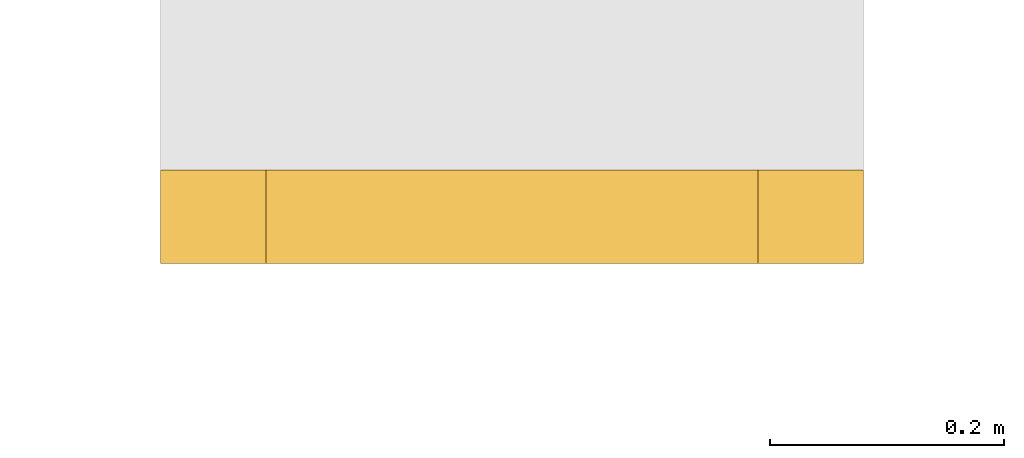
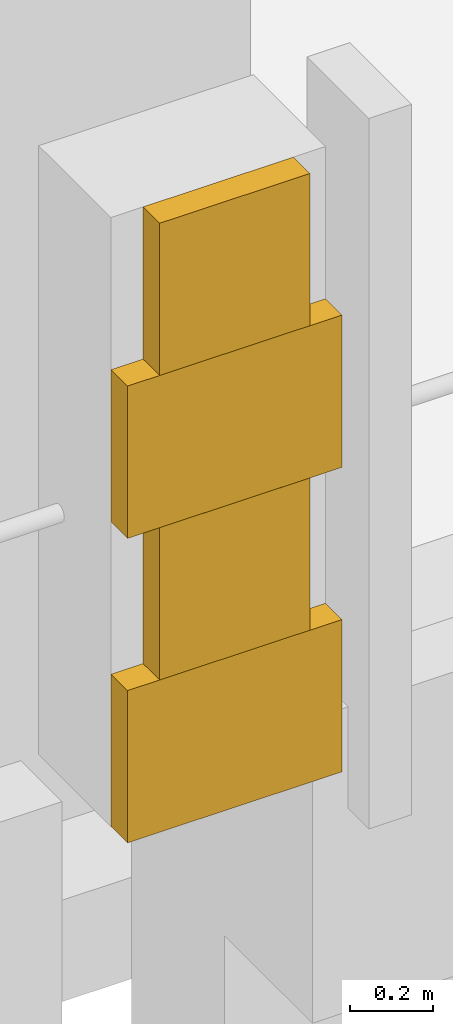
# One storey, part 25 of 25: 4 coverings.
"""IFC4 building model written with IfcOpenShell, lengths in metres."""

from ifc_helpers import new_model, si_unit, direction, frame, origin, place, context, subcontext, project, spatial, polyline, outline, extrude, material, layer, layer_set, type_object, element, save


model = new_model("IFC4")

# Units and contexts
model_context = context("Model", 3, precision=1e-05, world=origin(), true_north=direction((0.0, 1.0)))
body_context = subcontext(model_context, "Body", "Model", "MODEL_VIEW")
ifc_project = project(units=[si_unit("LENGTHUNIT", "METRE"), si_unit("AREAUNIT", "SQUARE_METRE"), si_unit("VOLUMEUNIT", "CUBIC_METRE"), si_unit("PLANEANGLEUNIT", "RADIAN"), si_unit("MASSUNIT", "GRAM", prefix="KILO")], contexts=[model_context])

# Site, building, storey
site_placement = place(None, origin())
site = spatial("IfcSite", under=ifc_project, at=site_placement, CompositionType="ELEMENT")
building_placement = place(site_placement, origin())
building = spatial("IfcBuilding", under=site, at=building_placement, Name="Cour d'Honneur Mobility Palace", CompositionType="ELEMENT")
storey_placement = place(building_placement, frame((0.0, 0.0, 30.39990234375)))
storey = spatial("IfcBuildingStorey", under=building, at=storey_placement, Name="L08", CompositionType="ELEMENT", Elevation=30.39990234375)

# Coverings
ifc_material = material(Name="Cast limestone", Category="masonry")
ifc_layer = layer(ifc_material, 0.080078125)
ifc_layer_set = layer_set([ifc_layer], Name="Cast limestone")
covering_type = type_object("IfcCoveringType", Name="Quoin block", PredefinedType="CLADDING", material=ifc_layer_set)
covering_1_placement = place(storey_placement, frame((0.0, 0.0, 0.300048828125)))
element("IfcCovering", 1, at=covering_1_placement, inside=storey, type_object=covering_type, Name="Quoin block QN-61", PredefinedType="CLADDING", context=body_context, shape_type="SweptSolid", body=[
    extrude(outline(polyline([(153.300048828125, -0.800048828125), (153.89990234375, -0.800048828125), (153.89990234375, -0.8798828125), (153.300048828125, -0.8798828125), (153.300048828125, -0.800048828125)])), origin(), (0.0, 0.0, 1.0), 0.449951171875),
])
covering_2_placement = place(storey_placement, frame((0.0, 0.0, 0.75)))
element("IfcCovering", 2, at=covering_2_placement, inside=storey, type_object=covering_type, Name="Quoin block QN-62", PredefinedType="CLADDING", context=body_context, shape_type="SweptSolid", body=[
    extrude(outline(polyline([(153.389892578125, -0.800048828125), (153.81005859375, -0.800048828125), (153.81005859375, -0.8798828125), (153.389892578125, -0.8798828125), (153.389892578125, -0.800048828125)])), origin(), (0.0, 0.0, 1.0), 0.4501953125),
])
covering_3_placement = place(storey_placement, frame((0.0, 0.0, 1.2001953125)))
element("IfcCovering", 3, at=covering_3_placement, inside=storey, type_object=covering_type, Name="Quoin block QN-63", PredefinedType="CLADDING", context=body_context, shape_type="SweptSolid", body=[
    extrude(outline(polyline([(153.300048828125, -0.800048828125), (153.89990234375, -0.800048828125), (153.89990234375, -0.8798828125), (153.300048828125, -0.8798828125), (153.300048828125, -0.800048828125)])), origin(), (0.0, 0.0, 1.0), 0.449951171875),
])
covering_4_placement = place(storey_placement, frame((0.0, 0.0, 1.650146484375)))
element("IfcCovering", 4, at=covering_4_placement, inside=storey, type_object=covering_type, Name="Quoin block QN-64", PredefinedType="CLADDING", context=body_context, shape_type="SweptSolid", body=[
    extrude(outline(polyline([(153.389892578125, -0.800048828125), (153.81005859375, -0.800048828125), (153.81005859375, -0.8798828125), (153.389892578125, -0.8798828125), (153.389892578125, -0.800048828125)])), origin(), (0.0, 0.0, 1.0), 0.449951171875),
])

save(model, "model.ifc")
